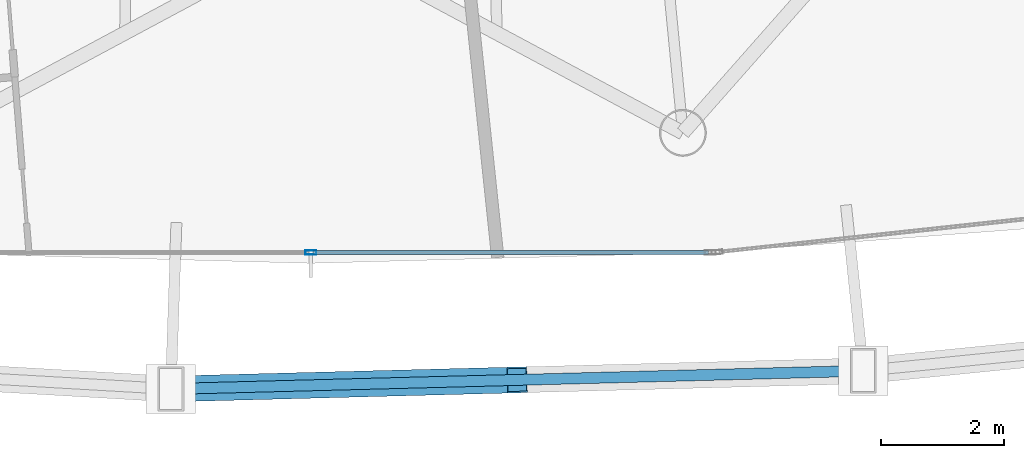
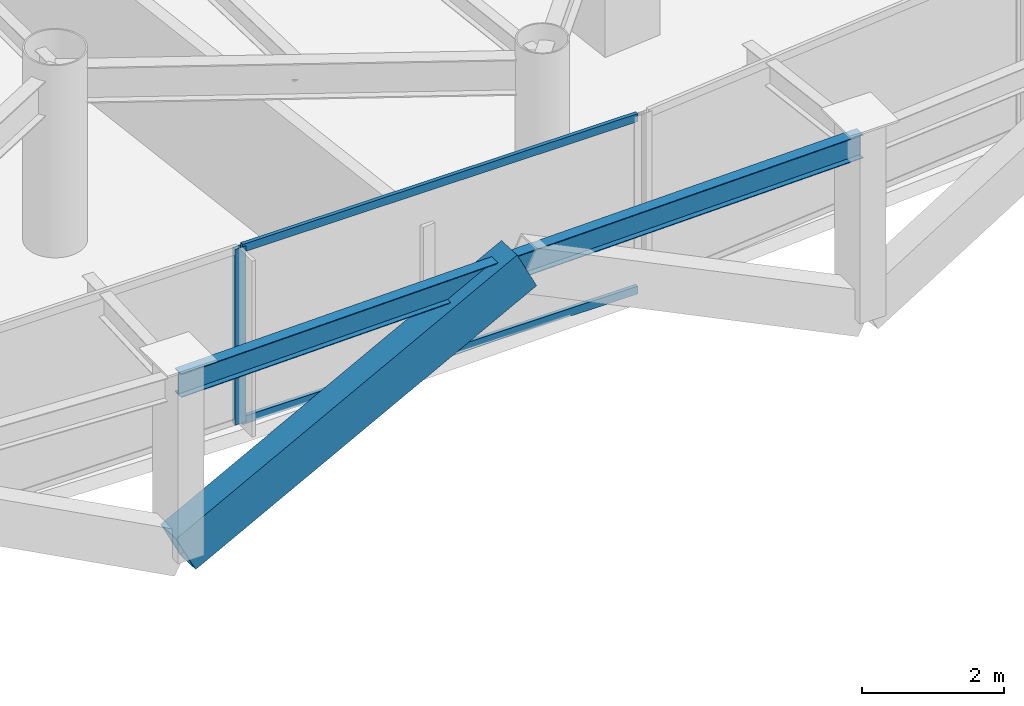
# One storey, part 7 of 38: 4 members, 1 beam, 1 element without a shape of its own.
"""IFC4 building model written with IfcOpenShell, lengths in metres."""

from ifc_helpers import new_model, si_unit, direction, frame, origin, origin_2d, place, context, subcontext, project, spatial, hollow_rectangle, i_section, extrude, material, layer, layer_set, material_profile, profile_set, type_object, element, aggregate, save


model = new_model("IFC4")

# Units and contexts
model_context = context("Model", 3, precision=1e-05, world=origin(), true_north=direction((0.0, 1.0)))
body_context = subcontext(model_context, "Body", "Model", "MODEL_VIEW")
ifc_project = project(units=[si_unit("LENGTHUNIT", "METRE"), si_unit("AREAUNIT", "SQUARE_METRE"), si_unit("VOLUMEUNIT", "CUBIC_METRE"), si_unit("PLANEANGLEUNIT", "RADIAN"), si_unit("MASSUNIT", "GRAM", prefix="KILO")], contexts=[model_context])

# Site, building, storey
site_placement = place(None, origin())
site = spatial("IfcSite", under=ifc_project, at=site_placement, CompositionType="ELEMENT")
building_placement = place(site_placement, origin())
building = spatial("IfcBuilding", under=site, at=building_placement, Name="Orvanel Arch Residences", CompositionType="ELEMENT")
storey_placement = place(building_placement, frame((0.0, 0.0, 56.60009765625)))
storey = spatial("IfcBuildingStorey", under=building, at=storey_placement, Name="L15", CompositionType="ELEMENT", Elevation=56.60009765625)

# Member
ifc_material_1 = material(Name="Structural steel AS/NZS 3678 Grade 350", Category="steel")
ifc_material_profile_1 = material_profile(ifc_material_1, hollow_rectangle(XDim=0.419921875, YDim=0.719970703125, WallThickness=0.02490234375, at=origin_2d()), Name="RHS720x420x25")
ifc_profile_set_1 = profile_set([ifc_material_profile_1], Name="Structural steel AS/NZS 3678 Grade 350")
member_type_1 = type_object("IfcMemberType", Name="BR-720RHS-EXT", PredefinedType="BRACE", material=ifc_profile_set_1)
member_1_placement = place(storey_placement, frame((30.72607421875, -0.554931640625, 0.0), z_axis=(0.893841281802, 0.023362819193, 0.447774431635), x_axis=(-0.026128624119, 0.99965858922, 0.0)))
element("IfcMember", 1, at=member_1_placement, inside=storey, type_object=member_type_1, Name="L15 Exterior Sky-Garden V-Frame Chevron F2B2.1", PredefinedType="BRACE", context=body_context, shape_type="SweptSolid", body=[
    extrude(hollow_rectangle(XDim=0.419921875, YDim=0.719970703125, WallThickness=0.02490234375, at=origin_2d()), origin(), (0.0, 0.0, 1.0), 6.290771484375),
])

# Curtain wall, member
ifc_material_2 = material(Name="Bronze-anodised aluminium AA6063-T6", Category="aluminium")
ifc_layer = layer(ifc_material_2, 0.179931640625)
ifc_layer_set = layer_set([ifc_layer], Name="Bronze-anodised aluminium AA6063-T6")
curtain_wall_type = type_object("IfcCurtainWallType", Name="CW2-LOW-SYS", PredefinedType="NOTDEFINED", material=ifc_layer_set)
curtain_wall_placement = place(storey_placement, origin())
curtain_wall = element("IfcCurtainWall", 2, at=curtain_wall_placement, inside=storey, type_object=curtain_wall_type, Name="L15 CW2-LOW-SYS Unitised Curtain Wall", PredefinedType="NOTDEFINED")
ifc_material_profile_2 = material_profile(ifc_material_2, hollow_rectangle(XDim=0.070068359375, YDim=0.179931640625, WallThickness=0.00439453125, at=origin_2d()), Name="ALU180x70x4.5")
ifc_profile_set_2 = profile_set([ifc_material_profile_2], Name="Bronze-anodised aluminium AA6063-T6")
member_type_2 = type_object("IfcMemberType", Name="MUL-180x70", PredefinedType="MULLION", material=ifc_profile_set_2)
member_2_placement = place(storey_placement, frame((33.0, 1.659912109375, 0.0), z_axis=(0.0, 0.0, 1.0), x_axis=(0.0, 1.0, 0.0)))
member_2 = element("IfcMember", 3, at=member_2_placement, type_object=member_type_2, Name="CW-S2 mullion 2", PredefinedType="MULLION", context=body_context, shape_type="SweptSolid", body=[
    extrude(hollow_rectangle(XDim=0.070068359375, YDim=0.179931640625, WallThickness=0.00439453125, at=origin_2d()), origin(), (0.0, 0.0, 1.0), 3.02001953125),
])

# Beam
ifc_material_3 = material(Name="Structural steel AS/NZS 3679.1 Grade 300 (300 MPa)", Category="steel")
ifc_material_profile_3 = material_profile(ifc_material_3, i_section(OverallWidth=0.177978515625, OverallDepth=0.406005859375, WebThickness=0.0078125, FlangeThickness=0.0126953125, at=origin_2d()), Name="410UB59.7")
ifc_profile_set_3 = profile_set([ifc_material_profile_3], Name="Structural steel AS/NZS 3679.1 Grade 300 (300 MPa)")
beam_type = type_object("IfcBeamType", Name="OB-410UB-EXT", PredefinedType="SPANDREL", material=ifc_profile_set_3)
beam_placement = place(storey_placement, frame((30.72607421875, -0.554931640625, 2.81689453125), z_axis=(0.999658574404, 0.026129190969, 0.0), x_axis=(-0.026129190969, 0.999658574404, 0.0)))
element("IfcBeam", 4, at=beam_placement, inside=storey, type_object=beam_type, Name="L15 Outer Perimeter Floor Ring Beam 06", PredefinedType="SPANDREL", context=body_context, shape_type="SweptSolid", body=[
    extrude(i_section(OverallWidth=0.177978515625, OverallDepth=0.406005859375, WebThickness=0.0078125, FlangeThickness=0.0126953125, at=origin_2d()), origin(), (0.0, 0.0, 1.0), 11.249755859375),
])

# Member
ifc_material_profile_4 = material_profile(ifc_material_2, hollow_rectangle(XDim=0.06005859375, YDim=0.135009765625, WallThickness=0.00390625, at=origin_2d()), Name="ALU135x60x4")
ifc_profile_set_4 = profile_set([ifc_material_profile_4], Name="Bronze-anodised aluminium AA6063-T6")
member_type_3 = type_object("IfcMemberType", Name="TRN-135x60", PredefinedType="USERDEFINED", material=ifc_profile_set_4)
member_3_placement = place(storey_placement, frame((33.034912109375, 1.659912109375, 0.02978515625), z_axis=(1.0, 0.0, 0.0), x_axis=(0.0, 1.0, 0.0)))
member_3 = element("IfcMember", 5, at=member_3_placement, type_object=member_type_3, Name="CW-S2 transom 2.1", ObjectType="TRANSOM", PredefinedType="USERDEFINED", context=body_context, shape_type="SweptSolid", body=[
    extrude(hollow_rectangle(XDim=0.06005859375, YDim=0.135009765625, WallThickness=0.00390625, at=origin_2d()), origin(), (0.0, 0.0, 1.0), 6.420166015625),
])

member_4_placement = place(storey_placement, frame((33.034912109375, 1.659912109375, 2.989990234375), z_axis=(1.0, 0.0, 0.0), x_axis=(0.0, 1.0, 0.0)))
member_4 = element("IfcMember", 6, at=member_4_placement, type_object=member_type_3, Name="CW-S2 transom 2.2", ObjectType="TRANSOM", PredefinedType="USERDEFINED", context=body_context, shape_type="SweptSolid", body=[
    extrude(hollow_rectangle(XDim=0.06005859375, YDim=0.135009765625, WallThickness=0.00390625, at=origin_2d()), origin(), (0.0, 0.0, 1.0), 6.420166015625),
])

aggregate(curtain_wall, [member_2, member_3, member_4])

save(model, "model.ifc")
